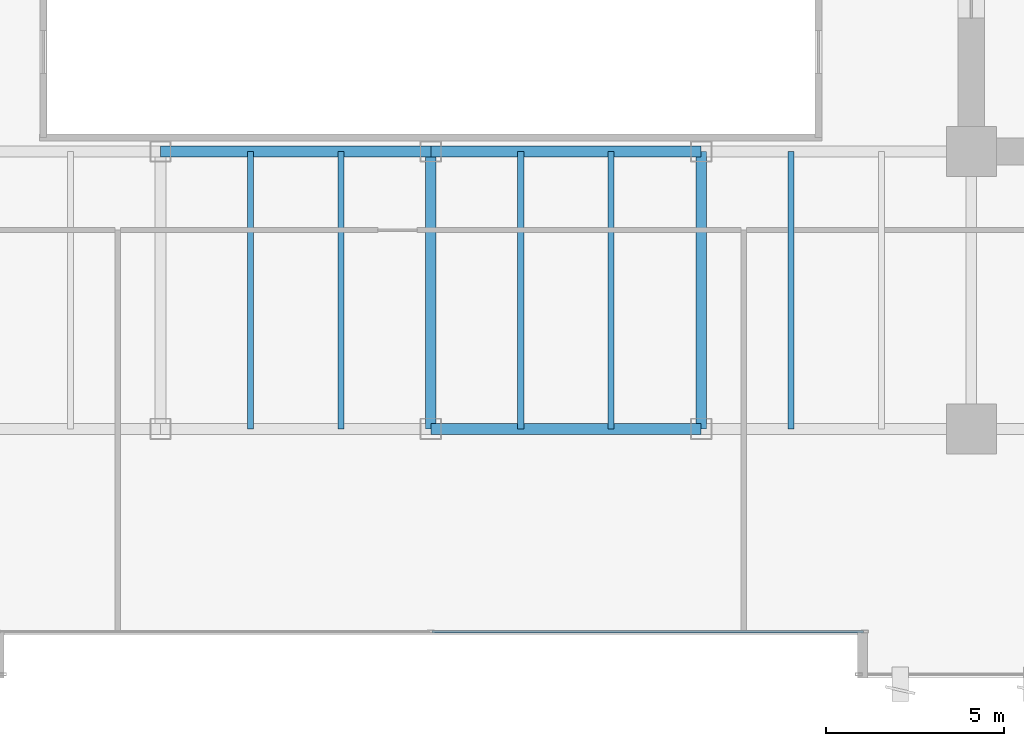
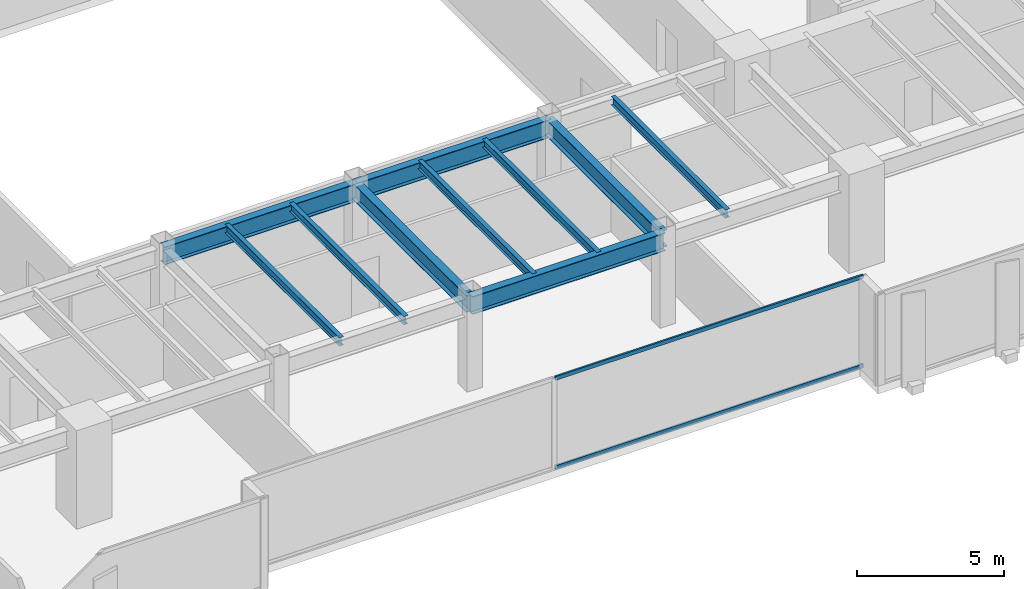
# One storey, part 9 of 36: 10 beams, 2 members, 1 element without a shape of its own.
"""IFC4 building model written with IfcOpenShell, lengths in metres."""

from ifc_helpers import new_model, si_unit, direction, frame, origin, origin_2d, place, context, subcontext, project, spatial, hollow_rectangle, i_section, extrude, source, transform, mapped, material, layer, layer_set, material_profile, profile_set, type_object, type_shapes, element, aggregate, save


model = new_model("IFC4")

# Units and contexts
model_context = context("Model", 3, precision=1e-05, world=origin(), true_north=direction((0.0, 1.0)))
body_context = subcontext(model_context, "Body", "Model", "MODEL_VIEW")
ifc_project = project(units=[si_unit("LENGTHUNIT", "METRE"), si_unit("AREAUNIT", "SQUARE_METRE"), si_unit("VOLUMEUNIT", "CUBIC_METRE"), si_unit("PLANEANGLEUNIT", "RADIAN"), si_unit("MASSUNIT", "GRAM", prefix="KILO")], contexts=[model_context])

# Site, building, storey
site_placement = place(None, origin())
site = spatial("IfcSite", under=ifc_project, at=site_placement, CompositionType="ELEMENT")
building_placement = place(site_placement, origin())
building = spatial("IfcBuilding", under=site, at=building_placement, Name="Haelvirn Gate Laboratories", CompositionType="ELEMENT")
storey_placement = place(building_placement, frame((0.0, 0.0, 29.300048828125)))
storey = spatial("IfcBuildingStorey", under=building, at=storey_placement, Name="L07", CompositionType="ELEMENT", Elevation=29.300048828125)

# Beams
ifc_material_1 = material(Name="Steel SM355", Category="steel")
ifc_material_profile_1 = material_profile(ifc_material_1, i_section(OverallWidth=0.300048828125, OverallDepth=0.699951171875, WebThickness=0.012939453125, FlangeThickness=0.02392578125, at=origin_2d()), Name="H-700x300x13x24")
ifc_profile_set_1 = profile_set([ifc_material_profile_1], Name="Steel SM355")
beam_type_1 = type_object("IfcBeamType", Name="BM-G-700", PredefinedType="BEAM", material=ifc_profile_set_1)
shared_shape_1 = source(origin(), body_context, "Body", "SweptSolid", [
    extrude(i_section(OverallWidth=0.300048828125, OverallDepth=0.699951171875, WebThickness=0.012939453125, FlangeThickness=0.02392578125, at=origin_2d()), origin(), (0.0, 0.0, 1.0), 7.800048828125),
])
type_shapes(beam_type_1, [shared_shape_1])
for number, where, z_axis, x_axis, name in (
    (1, (37.39990234375, 7.0, 3.429931640625), (0.0, 1.0, 0.0), (-1.0, 0.0, 0.0), "L07 Frame Girder X37.4 (7.0-14.8)"),
    (2, (45.0, 7.0, 3.429931640625), (0.0, 1.0, 0.0), (-1.0, 0.0, 0.0), "L07 Frame Girder X45.0 (7.0-14.8)"),
):
    element("IfcBeam", number, at=place(storey_placement, frame(where, z_axis=z_axis, x_axis=x_axis)), inside=storey, type_object=beam_type_1, Name=name, PredefinedType="BEAM", context=body_context, shape_type="MappedRepresentation", body=[
        mapped(shared_shape_1, transform((0.0, 0.0, 0.0), scale=1.0)),
    ])
ifc_material_profile_2 = material_profile(ifc_material_1, i_section(OverallWidth=0.300048828125, OverallDepth=0.75, WebThickness=0.013916015625, FlangeThickness=0.02392578125, at=origin_2d()), Name="H-750x300x14x24")
ifc_profile_set_2 = profile_set([ifc_material_profile_2], Name="Steel SM355")
beam_type_2 = type_object("IfcBeamType", Name="BM-G-750", PredefinedType="BEAM", material=ifc_profile_set_2)
shared_shape_2 = source(origin(), body_context, "Body", "SweptSolid", [
    extrude(i_section(OverallWidth=0.300048828125, OverallDepth=0.75, WebThickness=0.013916015625, FlangeThickness=0.02392578125, at=origin_2d()), origin(), (0.0, 0.0, 1.0), 7.60009765625),
])
for number, where, z_axis, x_axis, name in (
    (3, (37.39990234375, 7.0, 3.405029296875), (1.0, 0.0, 0.0), (0.0, 1.0, 0.0), "L07 Primary Girder Y7.0 (37.4-45.0)"),
    (4, (37.39990234375, 14.800048828125, 3.405029296875), (1.0, 0.0, 0.0), (0.0, 1.0, 0.0), "L07 Primary Girder Y14.8 (37.4-45.0)"),
):
    element("IfcBeam", number, at=place(storey_placement, frame(where, z_axis=z_axis, x_axis=x_axis)), inside=storey, type_object=beam_type_2, Name=name, PredefinedType="BEAM", context=body_context, shape_type="MappedRepresentation", body=[
        mapped(shared_shape_2, transform((0.0, 0.0, 0.0), scale=1.0)),
    ])
shared_shape_3 = source(origin(), body_context, "Body", "SweptSolid", [
    extrude(i_section(OverallWidth=0.300048828125, OverallDepth=0.75, WebThickness=0.013916015625, FlangeThickness=0.02392578125, at=origin_2d()), origin(), (0.0, 0.0, 1.0), 7.599853515625),
])
type_shapes(beam_type_2, [shared_shape_2, shared_shape_3])
beam_placement = place(storey_placement, frame((29.800048828125, 14.800048828125, 3.405029296875), z_axis=(1.0, 0.0, 0.0), x_axis=(0.0, 1.0, 0.0)))
element("IfcBeam", 5, at=beam_placement, inside=storey, type_object=beam_type_2, Name="L07 Primary Girder Y14.8 (29.8-37.4)", PredefinedType="BEAM", context=body_context, shape_type="MappedRepresentation", body=[
    mapped(shared_shape_3, transform((0.0, 0.0, 0.0), scale=1.0)),
])
ifc_material_profile_3 = material_profile(ifc_material_1, i_section(OverallWidth=0.175048828125, OverallDepth=0.35009765625, WebThickness=0.007080078125, FlangeThickness=0.010986328125, at=origin_2d()), Name="H-350x175x7x11")
ifc_profile_set_3 = profile_set([ifc_material_profile_3], Name="Steel SM355")
beam_type_3 = type_object("IfcBeamType", Name="BM-J-350", PredefinedType="JOIST", material=ifc_profile_set_3)
shared_shape_4 = source(origin(), body_context, "Body", "SweptSolid", [
    extrude(i_section(OverallWidth=0.175048828125, OverallDepth=0.35009765625, WebThickness=0.007080078125, FlangeThickness=0.010986328125, at=origin_2d()), origin(), (0.0, 0.0, 1.0), 7.800048828125),
])
type_shapes(beam_type_3, [shared_shape_4])
for number, where, z_axis, x_axis, name in (
    (6, (32.330078125, 7.0, 3.60498046875), (0.0, 1.0, 0.0), (-1.0, 0.0, 0.0), "L07 Composite Lab Joist South X32.33"),
    (7, (34.8701171875, 7.0, 3.60498046875), (0.0, 1.0, 0.0), (-1.0, 0.0, 0.0), "L07 Composite Lab Joist South X34.87"),
    (8, (39.929931640625, 7.0, 3.60498046875), (0.0, 1.0, 0.0), (-1.0, 0.0, 0.0), "L07 Composite Lab Joist South X39.93"),
    (9, (42.469970703125, 7.0, 3.60498046875), (0.0, 1.0, 0.0), (-1.0, 0.0, 0.0), "L07 Composite Lab Joist South X42.47"),
    (10, (47.530029296875, 7.0, 3.60498046875), (0.0, 1.0, 0.0), (-1.0, 0.0, 0.0), "L07 Composite Lab Joist South X47.53"),
):
    element("IfcBeam", number, at=place(storey_placement, frame(where, z_axis=z_axis, x_axis=x_axis)), inside=storey, type_object=beam_type_3, Name=name, PredefinedType="JOIST", context=body_context, shape_type="MappedRepresentation", body=[
        mapped(shared_shape_4, transform((0.0, 0.0, 0.0), scale=1.0)),
    ])

# Curtain wall, members
ifc_material_2 = material(Name="Anodised bronze unitised aluminium & triple low-E glass", Category="aluminium")
ifc_layer = layer(ifc_material_2, 0.18408203125, Name="CW-SYS-2")
ifc_layer_set = layer_set([ifc_layer], Name="Anodised bronze unitised aluminium & triple low-E glass")
curtain_wall_type = type_object("IfcCurtainWallType", Name="CW-SYS-2", PredefinedType="NOTDEFINED", material=ifc_layer_set)
curtain_wall_placement = place(storey_placement, origin())
curtain_wall = element("IfcCurtainWall", 11, at=curtain_wall_placement, inside=storey, type_object=curtain_wall_type, Name="L07 Unitised Curtain Wall CW-L07-P0-E02-1", PredefinedType="NOTDEFINED")
ifc_material_3 = material(Name="Extruded aluminium 6063-T6 (anodised bronze)", Category="aluminium")
ifc_material_profile_4 = material_profile(ifc_material_3, hollow_rectangle(XDim=0.070068359375, YDim=0.159912109375, WallThickness=0.0048828125, at=origin_2d()), Name="CWT-160x70x5")
ifc_profile_set_4 = profile_set([ifc_material_profile_4], Name="Extruded aluminium 6063-T6 (anodised bronze)")
member_type = type_object("IfcMemberType", Name="CWT-T160", PredefinedType="USERDEFINED", material=ifc_profile_set_4)
shared_shape_5 = source(origin(), body_context, "Body", "SweptSolid", [
    extrude(hollow_rectangle(XDim=0.070068359375, YDim=0.159912109375, WallThickness=0.0048828125, at=origin_2d()), origin(), (0.0, 0.0, 1.0), 12.12744140625),
])
type_shapes(member_type, [shared_shape_5])
member_1_placement = place(storey_placement, frame((37.4375, 1.300048828125, 0.034912109375), z_axis=(1.0, 0.0, 0.0), x_axis=(0.0, 1.0, 0.0)))
member_1 = element("IfcMember", 12, at=member_1_placement, type_object=member_type, Name="CW2 transom 2.1", ObjectType="TRANSOM", PredefinedType="USERDEFINED", context=body_context, shape_type="MappedRepresentation", body=[
    mapped(shared_shape_5, transform((0.0, 0.0, 0.0), scale=1.0)),
])
member_2_placement = place(storey_placement, frame((37.4375, 1.300048828125, 3.744873046875), z_axis=(1.0, 0.0, 0.0), x_axis=(0.0, 1.0, 0.0)))
member_2 = element("IfcMember", 13, at=member_2_placement, type_object=member_type, Name="CW2 transom 2.2", ObjectType="TRANSOM", PredefinedType="USERDEFINED", context=body_context, shape_type="MappedRepresentation", body=[
    mapped(shared_shape_5, transform((0.0, 0.0, 0.0), scale=1.0)),
])
aggregate(curtain_wall, [member_1, member_2])

save(model, "model.ifc")
